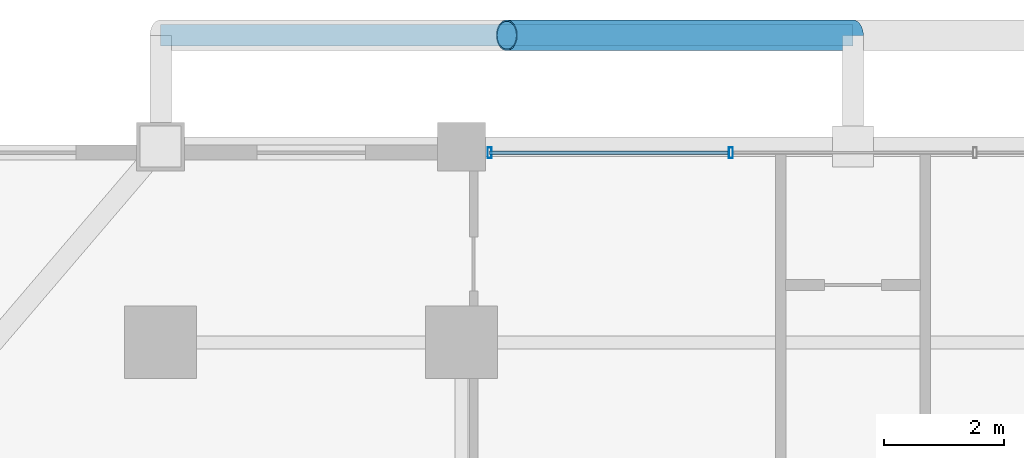
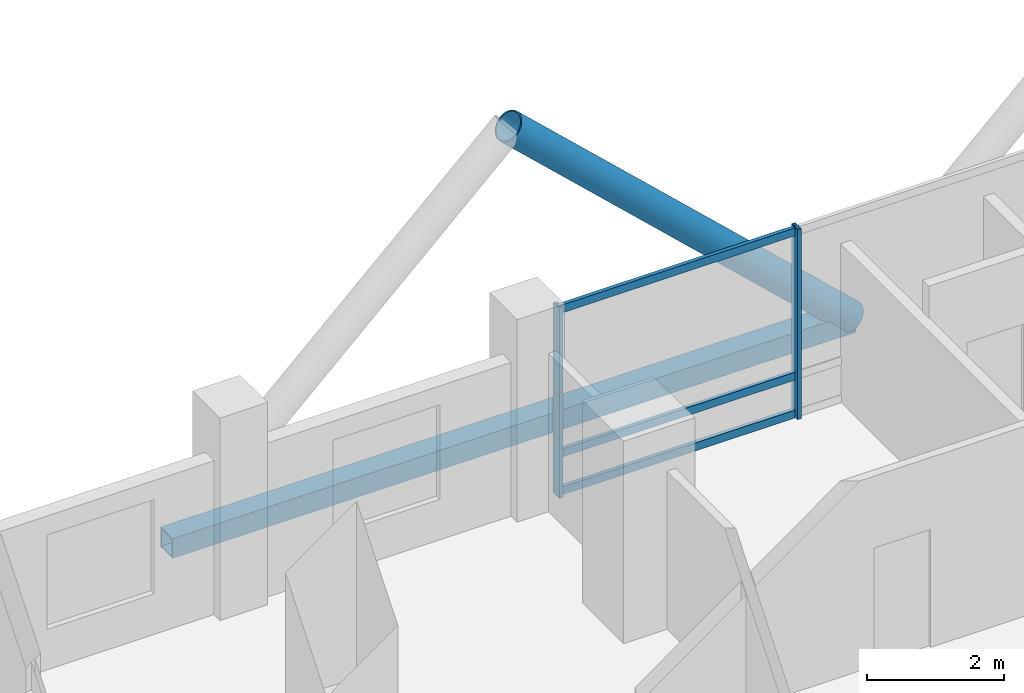
# One storey, part 14 of 25: 7 members, 1 element without a shape of its own.
"""IFC4 building model written with IfcOpenShell, lengths in metres."""

from ifc_helpers import new_model, si_unit, direction, frame, origin, origin_2d, place, context, subcontext, project, spatial, hollow_rectangle, hollow_circle, extrude, material, layer, layer_set, material_profile, profile_set, type_object, element, aggregate, save


model = new_model("IFC4")

# Units and contexts
model_context = context("Model", 3, precision=1e-05, world=origin(), true_north=direction((0.0, 1.0)))
body_context = subcontext(model_context, "Body", "Model", "MODEL_VIEW")
ifc_project = project(units=[si_unit("LENGTHUNIT", "METRE"), si_unit("AREAUNIT", "SQUARE_METRE"), si_unit("VOLUMEUNIT", "CUBIC_METRE"), si_unit("PLANEANGLEUNIT", "RADIAN"), si_unit("MASSUNIT", "GRAM", prefix="KILO")], contexts=[model_context])

# Site, building, storey
site_placement = place(None, origin())
site = spatial("IfcSite", under=ifc_project, at=site_placement, CompositionType="ELEMENT")
building_placement = place(site_placement, origin())
building = spatial("IfcBuilding", under=site, at=building_placement, Name="Barlavira Tower and Art Museum", CompositionType="ELEMENT")
storey_placement = place(building_placement, frame((0.0, 0.0, 144.0)))
storey = spatial("IfcBuildingStorey", under=building, at=storey_placement, Name="L36", CompositionType="ELEMENT", Elevation=144.0)

# Curtain wall, members
ifc_material_1 = material(Name="Low-iron coastal laminated glass", Category="glass")
ifc_layer = layer(ifc_material_1, 0.18994140625, Name="Low-iron coastal laminated glass")
ifc_layer_set = layer_set([ifc_layer], Name="Low-iron coastal laminated glass")
curtain_wall_type = type_object("IfcCurtainWallType", Name="Pale-Metal Unitised Curtain Wall Zone 2", PredefinedType="NOTDEFINED", material=ifc_layer_set)
curtain_wall_placement = place(storey_placement, origin())
curtain_wall = element("IfcCurtainWall", 1, at=curtain_wall_placement, inside=storey, type_object=curtain_wall_type, Name="L36 Curtain Wall CW2-L36-N-B3", PredefinedType="NOTDEFINED")
ifc_material_2 = material(Name="Pale anodised aluminium", Category="aluminium")
ifc_material_profile_1 = material_profile(ifc_material_2, hollow_rectangle(XDim=0.06494140625, YDim=0.179931640625, WallThickness=0.00390625, at=origin_2d()), Name="ALU-MULL 65x180x4")
ifc_profile_set_1 = profile_set([ifc_material_profile_1], Name="Pale anodised aluminium")
member_type_1 = type_object("IfcMemberType", Name="Curtain Wall Pale-Metal Mullion 65x180", PredefinedType="MULLION", material=ifc_profile_set_1)
member_1_placement = place(storey_placement, frame((-2.026611328125, 23.14990234375, 0.0), z_axis=(0.0, 0.0, 1.0), x_axis=(-1.0, 0.0, 0.0)))
member_1 = element("IfcMember", 2, at=member_1_placement, type_object=member_type_1, Name="CW2-L36-N-B3 Mullion 2", PredefinedType="MULLION", context=body_context, shape_type="SweptSolid", body=[
    extrude(hollow_rectangle(XDim=0.06494140625, YDim=0.179931640625, WallThickness=0.00390625, at=origin_2d()), origin(), (0.0, 0.0, 1.0), 3.3798828125),
])
member_2_placement = place(storey_placement, frame((-6.034912109375, 23.14990234375, 0.0), z_axis=(0.0, 0.0, 1.0), x_axis=(-1.0, 0.0, 0.0)))
member_2 = element("IfcMember", 3, at=member_2_placement, type_object=member_type_1, Name="CW2-L36-N-B3 Mullion 3", PredefinedType="MULLION", context=body_context, shape_type="SweptSolid", body=[
    extrude(hollow_rectangle(XDim=0.06494140625, YDim=0.179931640625, WallThickness=0.00390625, at=origin_2d()), origin(), (0.0, 0.0, 1.0), 3.3798828125),
])
ifc_material_profile_2 = material_profile(ifc_material_2, hollow_rectangle(XDim=0.06494140625, YDim=0.139892578125, WallThickness=0.00390625, at=origin_2d()), Name="ALU-TRAN 65x140x4")
ifc_profile_set_2 = profile_set([ifc_material_profile_2], Name="Pale anodised aluminium")
member_type_2 = type_object("IfcMemberType", Name="Curtain Wall Pale-Metal Transom 65x140", PredefinedType="USERDEFINED", material=ifc_profile_set_2)
member_3_placement = place(storey_placement, frame((-2.07177734375, 23.14990234375, 0.070068359375), z_axis=(-1.0, 0.0, 0.0), x_axis=(0.0, -1.0, 0.0)))
member_3 = element("IfcMember", 4, at=member_3_placement, type_object=member_type_2, Name="CW2-L36-N-B3 Transom 2.1", ObjectType="TRANSOM", PredefinedType="USERDEFINED", context=body_context, shape_type="SweptSolid", body=[
    extrude(hollow_rectangle(XDim=0.06494140625, YDim=0.139892578125, WallThickness=0.00390625, at=origin_2d()), origin(), (0.0, 0.0, 1.0), 3.963134765625),
])
member_4_placement = place(storey_placement, frame((-2.07177734375, 23.14990234375, 0.743896484375), z_axis=(-1.0, 0.0, 0.0), x_axis=(0.0, -1.0, 0.0)))
member_4 = element("IfcMember", 5, at=member_4_placement, type_object=member_type_2, Name="CW2-L36-N-B3 Transom 2.2", ObjectType="TRANSOM", PredefinedType="USERDEFINED", context=body_context, shape_type="SweptSolid", body=[
    extrude(hollow_rectangle(XDim=0.06494140625, YDim=0.139892578125, WallThickness=0.00390625, at=origin_2d()), origin(), (0.0, 0.0, 1.0), 3.963134765625),
])
member_5_placement = place(storey_placement, frame((-2.07177734375, 23.14990234375, 3.31005859375), z_axis=(-1.0, 0.0, 0.0), x_axis=(0.0, -1.0, 0.0)))
member_5 = element("IfcMember", 6, at=member_5_placement, type_object=member_type_2, Name="CW2-L36-N-B3 Transom 2.3", ObjectType="TRANSOM", PredefinedType="USERDEFINED", context=body_context, shape_type="SweptSolid", body=[
    extrude(hollow_rectangle(XDim=0.06494140625, YDim=0.139892578125, WallThickness=0.00390625, at=origin_2d()), origin(), (0.0, 0.0, 1.0), 3.963134765625),
])
aggregate(curtain_wall, [member_1, member_2, member_3, member_4, member_5])

# Members
ifc_material_3 = material(Name="Steel S355", Category="steel")
ifc_material_profile_3 = material_profile(ifc_material_3, hollow_circle(Radius=0.25390625, WallThickness=0.022216796875, at=origin_2d()), Name="CHS 508.0x22.2")
ifc_profile_set_3 = profile_set([ifc_material_profile_3], Name="Steel S355")
member_type_3 = type_object("IfcMemberType", Name="Pale-Metal Exoskeleton Diagrid Tube CHS 508x22 Steel S355", PredefinedType="BRACE", material=ifc_profile_set_3)
member_6_placement = place(storey_placement, frame((0.0, 25.10009765625, -0.1201171875), z_axis=(-0.728934650808, 0.0, 0.684583285548), x_axis=(0.0, -1.0, 0.0)))
element("IfcMember", 7, at=member_6_placement, inside=storey, type_object=member_type_3, Name="L36 Exoskeleton Diagrid Tube N", PredefinedType="BRACE", context=body_context, shape_type="SweptSolid", body=[
    extrude(hollow_circle(Radius=0.25390625, WallThickness=0.022216796875, at=origin_2d()), origin(), (0.0, 0.0, 1.0), 7.88818359375),
])
ifc_material_profile_4 = material_profile(ifc_material_3, hollow_rectangle(XDim=0.35009765625, YDim=0.35009765625, WallThickness=0.02001953125, at=origin_2d()), Name="SHS 350x350x20.0")
ifc_profile_set_4 = profile_set([ifc_material_profile_4], Name="Steel S355")
member_type_4 = type_object("IfcMemberType", Name="Pale-Metal Exoskeleton Ring Strut SHS 350x350x20 Steel S355", PredefinedType="STRUT", material=ifc_profile_set_4)
member_7_placement = place(storey_placement, frame((-11.5, 25.10009765625, -0.1201171875), z_axis=(1.0, 0.0, 0.0), x_axis=(0.0, 1.0, 0.0)))
element("IfcMember", 8, at=member_7_placement, inside=storey, type_object=member_type_4, Name="L36 Exoskeleton Ring Strut N", PredefinedType="STRUT", context=body_context, shape_type="SweptSolid", body=[
    extrude(hollow_rectangle(XDim=0.35009765625, YDim=0.35009765625, WallThickness=0.02001953125, at=origin_2d()), origin(), (0.0, 0.0, 1.0), 11.5),
])

save(model, "model.ifc")
